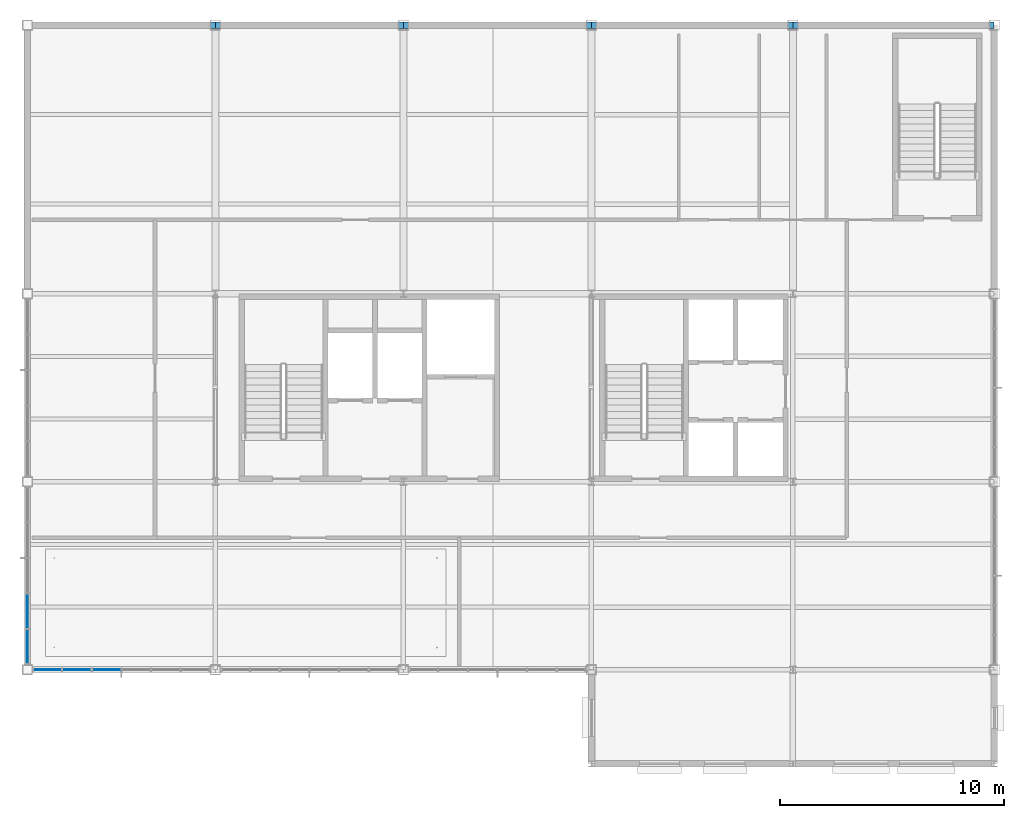
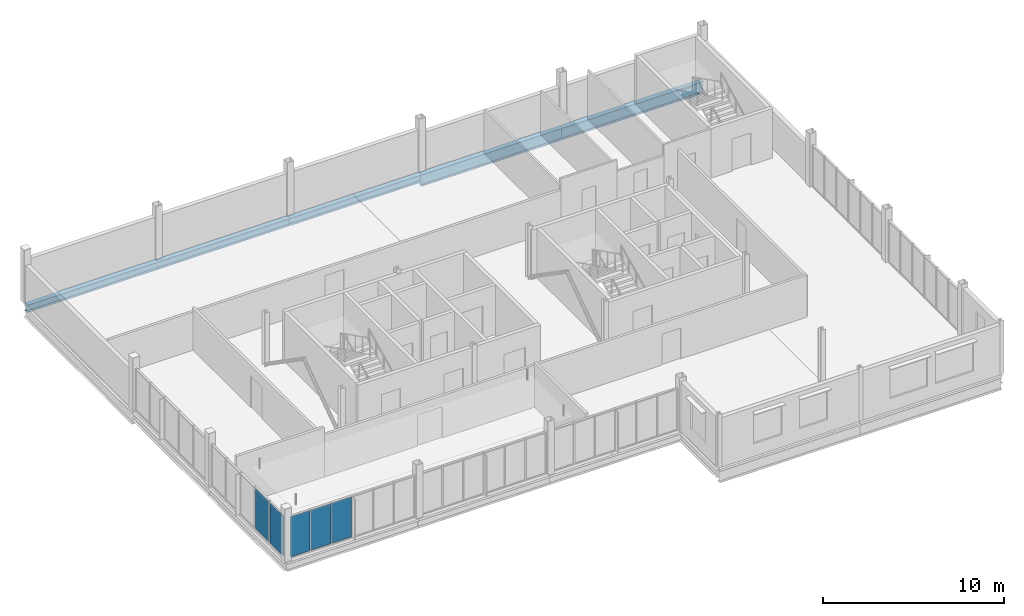
# One storey, part 9 of 19: 5 beams, 5 plates, 2 elements without a shape of their own.
"""IFC4 building model written with IfcOpenShell, lengths in metres."""

import ifcopenshell
import ifcopenshell.guid

model = None  # the IFC model being written
_history = None  # IfcOwnerHistory: only IFC2X3 demands one
_inside = {}  # id of a spatial element -> (the spatial element, [elements in it])
_under = {}  # id of a project, library or spatial element -> (it, [spatial elements below it])
_declared = {}  # id of a project -> (the project, [libraries it declares])
_typed = {}  # id of a type object -> (the type object, [elements of that type])
_made_of = {}  # id of a material, layer set ... -> (it, [elements and type objects made of it])


def new_model(schema):
    """Start an empty IFC model of exactly this schema.

    Asked for "IFC4X3", IfcOpenShell would pick the latest addendum, in which some entities
    have other attributes; the version numbers below select the first issue.
    IFC2X3 requires an IfcOwnerHistory on every rooted entity: one is made here for all.
    """
    global model, _history
    if schema == "IFC4X3":
        model = ifcopenshell.file(schema_version=(4, 3, 0, 0))
    else:
        model = ifcopenshell.file(schema=schema)
    _inside.clear()
    _under.clear()
    _declared.clear()
    _typed.clear()
    _made_of.clear()
    _history = None
    if model.schema == "IFC2X3":
        org = make("IfcOrganization", Name="unknown")
        user = make(
            "IfcPersonAndOrganization",
            ThePerson=make("IfcPerson", FamilyName="unknown"),
            TheOrganization=org,
        )
        app = make(
            "IfcApplication",
            ApplicationDeveloper=org,
            Version="unknown",
            ApplicationFullName="unknown",
            ApplicationIdentifier="unknown",
        )
        _history = make(
            "IfcOwnerHistory",
            OwningUser=user,
            OwningApplication=app,
            ChangeAction="ADDED",
            CreationDate=0,
        )
    return model


def make(cls, **values):
    """One entity of the class cls with the attributes given. An attribute that is None is left unset."""
    return model.create_entity(
        cls, **{name: value for name, value in values.items() if value is not None}
    )


def rooted(cls, **values):
    """An entity with a GlobalId (a new one), such as an element, a storey or a relation."""
    return make(cls, GlobalId=ifcopenshell.guid.new(), OwnerHistory=_history, **values)


def si_unit(unit_type, name, prefix=None):
    """IfcSIUnit, for example si_unit("LENGTHUNIT", "METRE", prefix="MILLI")."""
    return make("IfcSIUnit", UnitType=unit_type, Prefix=prefix, Name=name)


def assignment(units):
    """IfcUnitAssignment: the units of a project."""
    return None if units is None else make("IfcUnitAssignment", Units=units)


def point(xyz):
    """IfcCartesianPoint."""
    return None if xyz is None else make("IfcCartesianPoint", Coordinates=xyz)


def direction(xyz):
    """IfcDirection."""
    return None if xyz is None else make("IfcDirection", DirectionRatios=xyz)


def frame(location, z_axis=None, x_axis=None):
    """IfcAxis2Placement3D, a coordinate frame: its origin and axes. An axis left out is left unset."""
    return make(
        "IfcAxis2Placement3D",
        Location=point(location),
        Axis=direction(z_axis),
        RefDirection=direction(x_axis),
    )


def frame_2d(location, x_axis=None):
    """IfcAxis2Placement2D, a coordinate frame in the plane: its origin and x axis."""
    return make(
        "IfcAxis2Placement2D", Location=point(location), RefDirection=direction(x_axis)
    )


def origin():
    """The frame at (0, 0, 0) with its axes left unset."""
    return frame((0.0, 0.0, 0.0))


def origin_2d():
    """The frame at (0, 0) in the plane with its x axis left unset."""
    return frame_2d((0.0, 0.0))


def place(relative_to, where):
    """IfcLocalPlacement: puts the frame where relative to a parent placement (None: the world)."""
    return make(
        "IfcLocalPlacement", PlacementRelTo=relative_to, RelativePlacement=where
    )


def context(
    kind, dimensions, precision=None, world=None, true_north=None, identifier=None
):
    """IfcGeometricRepresentationContext, for example the 3D "Model" context."""
    return make(
        "IfcGeometricRepresentationContext",
        ContextIdentifier=identifier,
        ContextType=kind,
        CoordinateSpaceDimension=dimensions,
        Precision=precision,
        WorldCoordinateSystem=world,
        TrueNorth=true_north,
    )


def subcontext(parent, identifier, kind, view, scale=None):
    """IfcGeometricRepresentationSubContext, for example "Body" below "Model"."""
    return make(
        "IfcGeometricRepresentationSubContext",
        ContextIdentifier=identifier,
        ContextType=kind,
        ParentContext=parent,
        TargetScale=scale,
        TargetView=view,
    )


def project(units=None, contexts=None):
    """IfcProject with its units and contexts."""
    return rooted(
        "IfcProject",
        Name="project",
        RepresentationContexts=contexts,
        UnitsInContext=assignment(units),
    )


def spatial(cls, under=None, at=None, **own):
    """A site, building, storey or space (cls), placed at a placement, below another one or the project."""
    s = rooted(cls, ObjectPlacement=at, **own)
    if under is not None:
        _under.setdefault(under.id(), (under, []))[1].append(s)
    return s


def profile(cls, at=None, kind="AREA", **sizes):
    """A parametric profile (cls). Its sizes go by their IFC names, for example OverallWidth=200.0."""
    return make(cls, ProfileType=kind, Position=at, **sizes)


def rectangle(**sizes):
    """IfcRectangleProfileDef."""
    return profile("IfcRectangleProfileDef", **sizes)


def i_section(**sizes):
    """IfcIShapeProfileDef."""
    return profile("IfcIShapeProfileDef", **sizes)


def extrude(swept, where, along, depth):
    """IfcExtrudedAreaSolid: the profile swept, set in the frame where, extruded along a direction by depth."""
    return make(
        "IfcExtrudedAreaSolid",
        SweptArea=swept,
        Position=where,
        ExtrudedDirection=direction(along),
        Depth=depth,
    )


def shape(context_of_items, identifier, shape_type, items):
    """IfcShapeRepresentation: the items that make up one representation, for example the "Body"."""
    return make(
        "IfcShapeRepresentation",
        ContextOfItems=context_of_items,
        RepresentationIdentifier=identifier,
        RepresentationType=shape_type,
        Items=items,
    )


def material(Name=None, Category=None):
    """IfcMaterial."""
    return make("IfcMaterial", Name=Name, Category=Category)


def layer(
    of_material, thickness, ventilated=None, Name=None, Category=None, Priority=None
):
    """IfcMaterialLayer: one layer of a wall or slab, of a material (None: an air gap)."""
    return make(
        "IfcMaterialLayer",
        Material=of_material,
        LayerThickness=thickness,
        IsVentilated=ventilated,
        Name=Name,
        Category=Category,
        Priority=Priority,
    )


def layer_set(layers, Name=None):
    """IfcMaterialLayerSet."""
    return make("IfcMaterialLayerSet", MaterialLayers=layers, LayerSetName=Name)


def material_profile(
    of_material, cross_section, Name=None, Category=None, Priority=None
):
    """IfcMaterialProfile: a cross section and its material."""
    return make(
        "IfcMaterialProfile",
        Name=Name,
        Material=of_material,
        Profile=cross_section,
        Priority=Priority,
        Category=Category,
    )


def profile_set(profiles, Name=None, composite=None):
    """IfcMaterialProfileSet."""
    return make(
        "IfcMaterialProfileSet",
        Name=Name,
        MaterialProfiles=profiles,
        CompositeProfile=composite,
    )


def made_of(thing, what):
    """Note that an element or type object is made of a material, layer set ...; save() writes the relation."""
    if what is not None:
        _made_of.setdefault(what.id(), (what, []))[1].append(thing)
    return thing


def type_object(cls, material=None, **own):
    """A type object (cls), such as IfcWallType, which elements share."""
    return made_of(rooted(cls, **own), material)


def element(
    cls,
    number,
    at=None,
    inside=None,
    cuts=None,
    type_object=None,
    material=None,
    context=None,
    identifier="Body",
    shape_type=None,
    held_by="IfcProductDefinitionShape",
    body=None,
    shapes=None,
    **own,
):
    """One element of the class cls, such as IfcWall. Its Tag is "e" and its number.

    at: its placement. inside: the storey or other place that contains it. cuts: it is an
    opening in that element (IfcRelVoidsElement). A single representation is given by context,
    identifier, shape_type and body (its items); several are given by shapes. held_by: the class
    of the entity that holds the representations. save() writes the other relations.
    """
    e = rooted(cls, Tag="e%d" % number, ObjectPlacement=at, **own)
    if body is not None:
        shapes = [shape(context, identifier, shape_type, body)]
    if shapes is not None:
        e.Representation = make(held_by, Representations=shapes)
    if inside is not None:
        _inside.setdefault(inside.id(), (inside, []))[1].append(e)
    if cuts is not None:
        rooted(
            "IfcRelVoidsElement", RelatingBuildingElement=cuts, RelatedOpeningElement=e
        )
    if type_object is not None:
        _typed.setdefault(type_object.id(), (type_object, []))[1].append(e)
    return made_of(e, material)


def aggregate(whole, parts):
    """IfcRelAggregates: a whole, such as a stair, and the parts it consists of."""
    return rooted("IfcRelAggregates", RelatingObject=whole, RelatedObjects=parts)


def save(model, path):
    """Write the relations noted so far, then the file.

    IfcRelAggregates (storeys below a building ...), IfcRelContainedInSpatialStructure (elements
    in a storey), IfcRelDefinesByType, IfcRelAssociatesMaterial and IfcRelDeclares: one each for
    every whole, place, type object, material and project.
    """
    for whole, parts in _under.values():
        aggregate(whole, parts)
    for where, things in _inside.values():
        rooted(
            "IfcRelContainedInSpatialStructure",
            RelatedElements=things,
            RelatingStructure=where,
        )
    for kind, things in _typed.values():
        rooted("IfcRelDefinesByType", RelatedObjects=things, RelatingType=kind)
    for what, things in _made_of.values():
        rooted("IfcRelAssociatesMaterial", RelatedObjects=things, RelatingMaterial=what)
    for by, libraries in _declared.values():
        rooted("IfcRelDeclares", RelatingContext=by, RelatedDefinitions=libraries)
    model.write(path)


model = new_model("IFC4")

# Units and contexts
model_context = context("Model", 3, precision=1e-05, world=origin(), true_north=direction((0.0, 1.0)))
body_context = subcontext(model_context, "Body", "Model", "MODEL_VIEW")
ifc_project = project(units=[si_unit("LENGTHUNIT", "METRE"), si_unit("AREAUNIT", "SQUARE_METRE"), si_unit("VOLUMEUNIT", "CUBIC_METRE"), si_unit("PLANEANGLEUNIT", "RADIAN"), si_unit("MASSUNIT", "GRAM", prefix="KILO")], contexts=[model_context])

# Site, building, storey
site_placement = place(None, origin())
site = spatial("IfcSite", under=ifc_project, at=site_placement, CompositionType="ELEMENT")
building_placement = place(site_placement, origin())
building = spatial("IfcBuilding", under=site, at=building_placement, Name="Yukiwa Park Conservatory and Herbarium", CompositionType="ELEMENT")
storey_placement = place(building_placement, frame((0.0, 0.0, 46.800048828125)))
storey = spatial("IfcBuildingStorey", under=building, at=storey_placement, Name="L12", CompositionType="ELEMENT", Elevation=46.800048828125)

# Beams
ifc_material_1 = material(Name="Steel Q355D", Category="steel")
ifc_material_profile_1 = material_profile(ifc_material_1, i_section(OverallWidth=0.300048828125, OverallDepth=0.5, WebThickness=0.010986328125, FlangeThickness=0.01806640625, FilletRadius=0.02392578125, at=origin_2d()), Name="HM 500x300x11x18")
ifc_profile_set_1 = profile_set([ifc_material_profile_1], Name="Steel Q355D")
beam_type_1 = type_object("IfcBeamType", Name="BM-SPN-HN500", PredefinedType="SPANDREL", material=ifc_profile_set_1)
beam_placement = place(storey_placement, frame((124.805908203125, 115.199951171875, -0.49609375), z_axis=(1.0, 0.0, 0.0), x_axis=(0.0, 1.0, 0.0)))
element("IfcBeam", 1, at=beam_placement, inside=storey, type_object=beam_type_1, Name="L12 spandrel beam X-18", PredefinedType="SPANDREL", context=body_context, shape_type="SweptSolid", body=[
    extrude(i_section(OverallWidth=0.300048828125, OverallDepth=0.5, WebThickness=0.010986328125, FlangeThickness=0.01806640625, FilletRadius=0.02392578125, at=origin_2d()), origin(), (0.0, 0.0, 1.0), 8.38818359375),
])
for number, where, z_axis, x_axis, name in (
    (2, (133.2060546875, 115.199951171875, -0.49609375), (1.0, 0.0, 0.0), (0.0, 1.0, 0.0), "L12 spandrel beam X-19"),
    (3, (141.60595703125, 115.199951171875, -0.49609375), (1.0, 0.0, 0.0), (0.0, 1.0, 0.0), "L12 spandrel beam X-20"),
):
    element("IfcBeam", number, at=place(storey_placement, frame(where, z_axis=z_axis, x_axis=x_axis)), inside=storey, type_object=beam_type_1, Name=name, PredefinedType="SPANDREL", context=body_context, shape_type="SweptSolid", body=[
        extrude(i_section(OverallWidth=0.300048828125, OverallDepth=0.5, WebThickness=0.010986328125, FlangeThickness=0.01806640625, FilletRadius=0.02392578125, at=origin_2d()), origin(), (0.0, 0.0, 1.0), 8.387939453125),
    ])
ifc_material_2 = material(Name="Steel Q355D", Category="steel")
ifc_material_profile_2 = material_profile(ifc_material_2, i_section(OverallWidth=0.300048828125, OverallDepth=0.7919921875, WebThickness=0.013916015625, FlangeThickness=0.02197265625, FilletRadius=0.028076171875, at=origin_2d()), Name="HN 792x300x14x22")
ifc_profile_set_2 = profile_set([ifc_material_profile_2], Name="Steel Q355D")
beam_type_2 = type_object("IfcBeamType", Name="BM-SPN-HN600", PredefinedType="SPANDREL", material=ifc_profile_set_2)
for number, where, z_axis, x_axis, name in (
    (4, (150.006103515625, 115.199951171875, -0.64208984375), (1.0, 0.0, 0.0), (0.0, 1.0, 0.0), "L12 spandrel beam X-21"),
    (5, (159.006103515625, 115.199951171875, -0.64208984375), (1.0, 0.0, 0.0), (0.0, 1.0, 0.0), "L12 spandrel beam X-22"),
):
    element("IfcBeam", number, at=place(storey_placement, frame(where, z_axis=z_axis, x_axis=x_axis)), inside=storey, type_object=beam_type_2, Name=name, PredefinedType="SPANDREL", context=body_context, shape_type="SweptSolid", body=[
        extrude(i_section(OverallWidth=0.300048828125, OverallDepth=0.7919921875, WebThickness=0.013916015625, FlangeThickness=0.02197265625, FilletRadius=0.028076171875, at=origin_2d()), origin(), (0.0, 0.0, 1.0), 8.98779296875),
    ])

# Curtain wall, plates
ifc_material_3 = material(Name="Triple Low-E Insulated Glass", Category="glass")
ifc_layer_1 = layer(ifc_material_3, 0.260009765625)
ifc_layer_set_1 = layer_set([ifc_layer_1], Name="Triple Low-E Insulated Glass")
curtain_wall_type_1 = type_object("IfcCurtainWallType", Name="CW-TOWER-LAB-W-1500", PredefinedType="NOTDEFINED", material=ifc_layer_set_1)
curtain_wall_1_placement = place(storey_placement, origin())
curtain_wall_1 = element("IfcCurtainWall", 6, at=curtain_wall_1_placement, inside=storey, type_object=curtain_wall_type_1, Name="L12 unitised curtain wall CW-L12-122", PredefinedType="NOTDEFINED")
ifc_material_4 = material(Name="Triple Low-E Insulated Glass", Category="glass")
ifc_layer_2 = layer(ifc_material_4, 0.035888671875)
ifc_layer_set_2 = layer_set([ifc_layer_2], Name="Triple Low-E Insulated Glass")
plate_type = type_object("IfcPlateType", Name="PL-CW-GLZ-36", PredefinedType="CURTAIN_PANEL", material=ifc_layer_set_2)
plate_1_placement = place(storey_placement, frame((124.800048828125, 89.010009765625, 0.06982421875), z_axis=(0.0, 0.0, 1.0), x_axis=(0.0, -1.0, 0.0)))
plate_1 = element("IfcPlate", 7, at=plate_1_placement, type_object=plate_type, Name="CW-L12-122 vision panel 4.1", PredefinedType="CURTAIN_PANEL", context=body_context, shape_type="SweptSolid", body=[
    extrude(rectangle(XDim=1.52001953125, YDim=0.035888671875, at=origin_2d()), origin(), (0.0, 0.0, 1.0), 2.699951171875),
])
plate_2_placement = place(storey_placement, frame((124.800048828125, 87.419921875, 0.06982421875), z_axis=(0.0, 0.0, 1.0), x_axis=(0.0, -1.0, 0.0)))
plate_2 = element("IfcPlate", 8, at=plate_2_placement, type_object=plate_type, Name="CW-L12-122 vision panel 5.1", PredefinedType="CURTAIN_PANEL", context=body_context, shape_type="SweptSolid", body=[
    extrude(rectangle(XDim=1.52001953125, YDim=0.035888671875, at=origin_2d()), origin(), (0.0, 0.0, 1.0), 2.699951171875),
])
aggregate(curtain_wall_1, [plate_1, plate_2])

ifc_material_5 = material(Name="Triple Low-E Insulated Glass", Category="glass")
ifc_layer_3 = layer(ifc_material_5, 0.248046875)
ifc_layer_set_3 = layer_set([ifc_layer_3], Name="Triple Low-E Insulated Glass")
curtain_wall_type_2 = type_object("IfcCurtainWallType", Name="CW-TOWER-LAB-S-1400", PredefinedType="NOTDEFINED", material=ifc_layer_set_3)
curtain_wall_2_placement = place(storey_placement, origin())
curtain_wall_2 = element("IfcCurtainWall", 9, at=curtain_wall_2_placement, inside=storey, type_object=curtain_wall_type_2, Name="L12 unitised curtain wall CW-L12-123", PredefinedType="NOTDEFINED")
plate_3_placement = place(storey_placement, frame((125.6875, 86.39990234375, 0.06982421875), z_axis=(0.0, 0.0, 1.0), x_axis=(1.0, 0.0, 0.0)))
plate_3 = element("IfcPlate", 10, at=plate_3_placement, type_object=plate_type, Name="CW-L12-123 vision panel 1.1", PredefinedType="CURTAIN_PANEL", context=body_context, shape_type="SweptSolid", body=[
    extrude(rectangle(XDim=1.2548828125, YDim=0.035888671875, at=origin_2d()), origin(), (0.0, 0.0, 1.0), 2.697998046875),
])
plate_4_placement = place(storey_placement, frame((127.012451171875, 86.39990234375, 0.06982421875), z_axis=(0.0, 0.0, 1.0), x_axis=(1.0, 0.0, 0.0)))
plate_4 = element("IfcPlate", 11, at=plate_4_placement, type_object=plate_type, Name="CW-L12-123 vision panel 2.1", PredefinedType="CURTAIN_PANEL", context=body_context, shape_type="SweptSolid", body=[
    extrude(rectangle(XDim=1.2548828125, YDim=0.035888671875, at=origin_2d()), origin(), (0.0, 0.0, 1.0), 2.697998046875),
])
plate_5_placement = place(storey_placement, frame((128.33740234375, 86.39990234375, 0.06982421875), z_axis=(0.0, 0.0, 1.0), x_axis=(1.0, 0.0, 0.0)))
plate_5 = element("IfcPlate", 12, at=plate_5_placement, type_object=plate_type, Name="CW-L12-123 vision panel 3.1", PredefinedType="CURTAIN_PANEL", context=body_context, shape_type="SweptSolid", body=[
    extrude(rectangle(XDim=1.2548828125, YDim=0.035888671875, at=origin_2d()), origin(), (0.0, 0.0, 1.0), 2.697998046875),
])
aggregate(curtain_wall_2, [plate_3, plate_4, plate_5])

save(model, "model.ifc")
